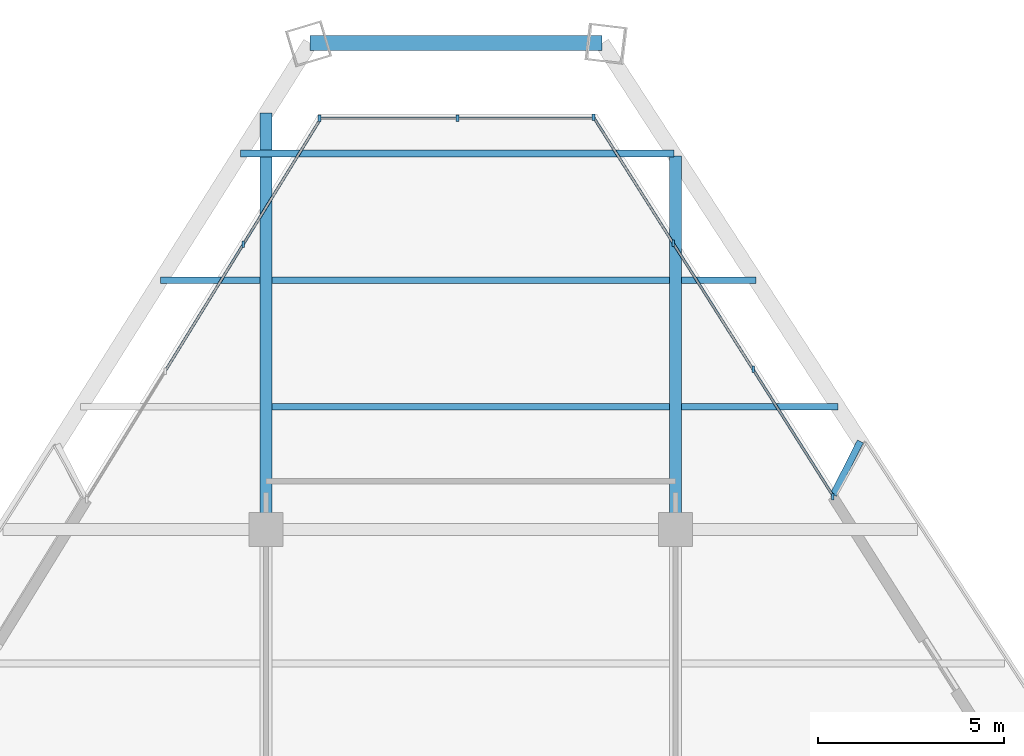
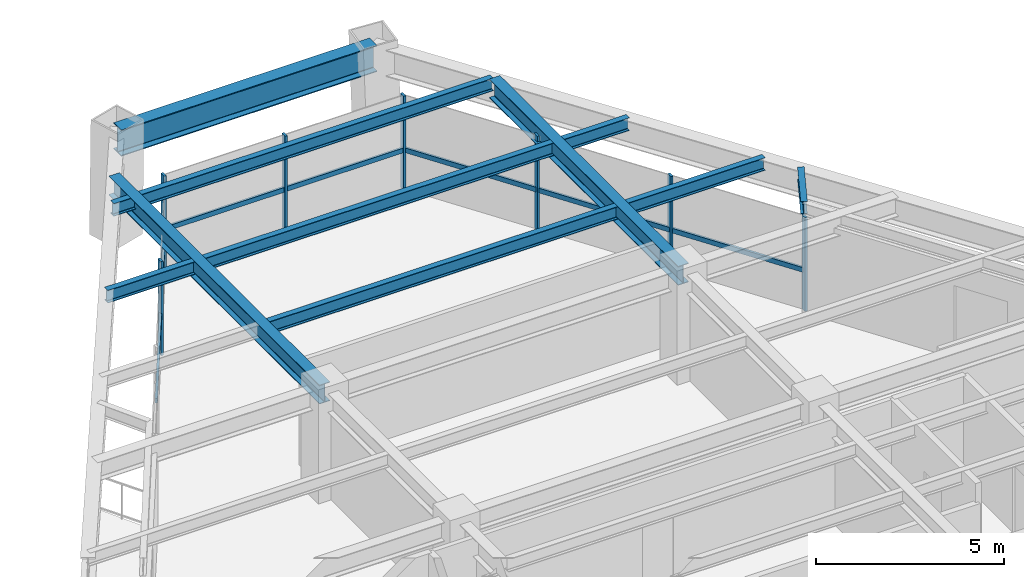
# One storey, part 9 of 15: 14 members, 10 beams, 3 elements without a shape of their own.
"""IFC4 building model written with IfcOpenShell, lengths in metres."""

from ifc_helpers import new_model, si_unit, direction, frame, origin, origin_2d, place, context, subcontext, project, spatial, rectangle, i_section, extrude, source, transform, mapped, material, material_profile, profile_set, type_object, element, aggregate, save


model = new_model("IFC4")

# Units and contexts
model_context = context("Model", 3, precision=1e-05, world=origin(), true_north=direction((0.0, 1.0)))
body_context = subcontext(model_context, "Body", "Model", "MODEL_VIEW")
ifc_project = project(units=[si_unit("LENGTHUNIT", "METRE"), si_unit("AREAUNIT", "SQUARE_METRE"), si_unit("VOLUMEUNIT", "CUBIC_METRE"), si_unit("PLANEANGLEUNIT", "RADIAN"), si_unit("MASSUNIT", "GRAM", prefix="KILO")], contexts=[model_context])

# Site, building, storey
site_placement = place(None, origin())
site = spatial("IfcSite", under=ifc_project, at=site_placement, CompositionType="ELEMENT")
building_placement = place(site_placement, origin())
building = spatial("IfcBuilding", under=site, at=building_placement, Name="Varnakhor Terracotta Tower", CompositionType="ELEMENT")
storey_placement = place(building_placement, frame((0.0, 0.0, 193.199951171875)))
storey = spatial("IfcBuildingStorey", under=building, at=storey_placement, Name="L49", CompositionType="ELEMENT", Elevation=193.199951171875)

# Beams
ifc_material_1 = material(Name="Steel S355", Category="steel")
ifc_material_profile_1 = material_profile(ifc_material_1, i_section(OverallWidth=0.179931640625, OverallDepth=0.4130859375, WebThickness=0.009765625, FlangeThickness=0.01611328125, FilletRadius=0.01806640625, at=origin_2d()), Name="W16X50")
ifc_profile_set_1 = profile_set([ifc_material_profile_1], Name="Steel S355")
beam_type_1 = type_object("IfcBeamType", Name="JST-W16X50", PredefinedType="JOIST", material=ifc_profile_set_1)
shared_shape_1 = source(origin(), body_context, "Body", "SweptSolid", [
    extrude(i_section(OverallWidth=0.179931640625, OverallDepth=0.4130859375, WebThickness=0.009765625, FlangeThickness=0.01611328125, FilletRadius=0.01806640625, at=origin_2d()), origin(), (0.0, 0.0, 1.0), 10.68310546875),
])
for number, where, z_axis, x_axis, name in (
    (1, (-5.341552734375, 34.800048828125, 3.263427734375), (1.0, 0.0, 0.0), (0.0, 1.0, 0.0), "L49 Composite Floor Joist 7-2"),
    (2, (-5.341552734375, 38.199951171875, 3.263427734375), (1.0, 0.0, 0.0), (0.0, 1.0, 0.0), "L49 Composite Floor Joist 8-2"),
):
    element("IfcBeam", number, at=place(storey_placement, frame(where, z_axis=z_axis, x_axis=x_axis)), inside=storey, type_object=beam_type_1, Name=name, PredefinedType="JOIST", context=body_context, shape_type="MappedRepresentation", body=[
        mapped(shared_shape_1, transform((0.0, 0.0, 0.0), scale=1.0)),
    ])
ifc_material_profile_2 = material_profile(ifc_material_1, i_section(OverallWidth=0.39990234375, OverallDepth=0.85498046875, WebThickness=0.01806640625, FlangeThickness=0.029052734375, FilletRadius=0.01806640625, at=origin_2d()), Name="W33X201")
ifc_profile_set_2 = profile_set([ifc_material_profile_2], Name="Steel S355")
beam_type_2 = type_object("IfcBeamType", Name="BM-W33X201", PredefinedType="BEAM", material=ifc_profile_set_2)
shared_shape_2 = source(origin(), body_context, "Body", "SweptSolid", [
    extrude(i_section(OverallWidth=0.39990234375, OverallDepth=0.85498046875, WebThickness=0.01806640625, FlangeThickness=0.029052734375, FilletRadius=0.01806640625, at=origin_2d()), origin(), (0.0, 0.0, 1.0), 7.845703125),
])
beam_1_placement = place(storey_placement, frame((3.531005859375, 44.565673828125, 3.04248046875), z_axis=(-1.0, 0.0, 0.0), x_axis=(0.0, -1.0, 0.0)))
element("IfcBeam", 3, at=beam_1_placement, inside=storey, type_object=beam_type_2, Name="L49 Perimeter Spandrel 5", PredefinedType="BEAM", context=body_context, shape_type="MappedRepresentation", body=[
    mapped(shared_shape_2, transform((0.0, 0.0, 0.0), scale=1.0)),
])
ifc_material_profile_3 = material_profile(ifc_material_1, i_section(OverallWidth=0.324951171875, OverallDepth=0.615966796875, WebThickness=0.013916015625, FlangeThickness=0.02197265625, FilletRadius=0.01806640625, at=origin_2d()), Name="W24X117")
ifc_profile_set_3 = profile_set([ifc_material_profile_3], Name="Steel S355")
beam_type_3 = type_object("IfcBeamType", Name="BM-W24X117", PredefinedType="BEAM", material=ifc_profile_set_3)
shared_shape_3 = source(origin(), body_context, "Body", "SweptSolid", [
    extrude(i_section(OverallWidth=0.324951171875, OverallDepth=0.615966796875, WebThickness=0.013916015625, FlangeThickness=0.02197265625, FilletRadius=0.01806640625, at=origin_2d()), origin(), (0.0, 0.0, 1.0), 11.1875),
])
beam_2_placement = place(storey_placement, frame((-5.5, 31.5, 3.162109375), z_axis=(0.0, 1.0, 0.0), x_axis=(-1.0, 0.0, 0.0)))
element("IfcBeam", 4, at=beam_2_placement, inside=storey, type_object=beam_type_3, Name="L49 Primary Girder NS3-W", PredefinedType="BEAM", context=body_context, shape_type="MappedRepresentation", body=[
    mapped(shared_shape_3, transform((0.0, 0.0, 0.0), scale=1.0)),
])
shared_shape_4 = source(origin(), body_context, "Body", "SweptSolid", [
    extrude(i_section(OverallWidth=0.324951171875, OverallDepth=0.615966796875, WebThickness=0.013916015625, FlangeThickness=0.02197265625, FilletRadius=0.01806640625, at=origin_2d()), origin(), (0.0, 0.0, 1.0), 10.02978515625),
])
beam_3_placement = place(storey_placement, frame((5.5, 31.5, 3.162109375), z_axis=(0.0, 1.0, 0.0), x_axis=(-1.0, 0.0, 0.0)))
element("IfcBeam", 5, at=beam_3_placement, inside=storey, type_object=beam_type_3, Name="L49 Primary Girder NS3-E", PredefinedType="BEAM", context=body_context, shape_type="MappedRepresentation", body=[
    mapped(shared_shape_4, transform((0.0, 0.0, 0.0), scale=1.0)),
])
shared_shape_5 = source(origin(), body_context, "Body", "SweptSolid", [
    extrude(i_section(OverallWidth=0.179931640625, OverallDepth=0.4130859375, WebThickness=0.009765625, FlangeThickness=0.01611328125, FilletRadius=0.01806640625, at=origin_2d()), origin(), (0.0, 0.0, 1.0), 4.20654296875),
])
beam_4_placement = place(storey_placement, frame((5.658447265625, 34.800048828125, 3.263427734375), z_axis=(1.0, 0.0, 0.0), x_axis=(0.0, 1.0, 0.0)))
element("IfcBeam", 6, at=beam_4_placement, inside=storey, type_object=beam_type_1, Name="L49 Composite Floor Joist 7-3", PredefinedType="JOIST", context=body_context, shape_type="MappedRepresentation", body=[
    mapped(shared_shape_5, transform((0.0, 0.0, 0.0), scale=1.0)),
])
shared_shape_6 = source(origin(), body_context, "Body", "SweptSolid", [
    extrude(i_section(OverallWidth=0.179931640625, OverallDepth=0.4130859375, WebThickness=0.009765625, FlangeThickness=0.01611328125, FilletRadius=0.01806640625, at=origin_2d()), origin(), (0.0, 0.0, 1.0), 2.673095703125),
])
beam_5_placement = place(storey_placement, frame((-8.33154296875, 38.199951171875, 3.263427734375), z_axis=(1.0, 0.0, 0.0), x_axis=(0.0, 1.0, 0.0)))
element("IfcBeam", 7, at=beam_5_placement, inside=storey, type_object=beam_type_1, Name="L49 Composite Floor Joist 8-1", PredefinedType="JOIST", context=body_context, shape_type="MappedRepresentation", body=[
    mapped(shared_shape_6, transform((0.0, 0.0, 0.0), scale=1.0)),
])
shared_shape_7 = source(origin(), body_context, "Body", "SweptSolid", [
    extrude(i_section(OverallWidth=0.179931640625, OverallDepth=0.4130859375, WebThickness=0.009765625, FlangeThickness=0.01611328125, FilletRadius=0.01806640625, at=origin_2d()), origin(), (0.0, 0.0, 1.0), 2.00146484375),
])
beam_6_placement = place(storey_placement, frame((5.658447265625, 38.199951171875, 3.263427734375), z_axis=(1.0, 0.0, 0.0), x_axis=(0.0, 1.0, 0.0)))
element("IfcBeam", 8, at=beam_6_placement, inside=storey, type_object=beam_type_1, Name="L49 Composite Floor Joist 8-3", PredefinedType="JOIST", context=body_context, shape_type="MappedRepresentation", body=[
    mapped(shared_shape_7, transform((0.0, 0.0, 0.0), scale=1.0)),
])
shared_shape_8 = source(origin(), body_context, "Body", "SweptSolid", [
    extrude(i_section(OverallWidth=0.179931640625, OverallDepth=0.4130859375, WebThickness=0.009765625, FlangeThickness=0.01611328125, FilletRadius=0.01806640625, at=origin_2d()), origin(), (0.0, 0.0, 1.0), 11.640869140625),
])
beam_7_placement = place(storey_placement, frame((-6.186279296875, 41.60009765625, 3.263427734375), z_axis=(1.0, 0.0, 0.0), x_axis=(0.0, 1.0, 0.0)))
element("IfcBeam", 9, at=beam_7_placement, inside=storey, type_object=beam_type_1, Name="L49 Composite Floor Joist 9-1", PredefinedType="JOIST", context=body_context, shape_type="MappedRepresentation", body=[
    mapped(shared_shape_8, transform((0.0, 0.0, 0.0), scale=1.0)),
])
ifc_material_profile_4 = material_profile(ifc_material_1, i_section(OverallWidth=0.179931640625, OverallDepth=0.39990234375, WebThickness=0.008544921875, FlangeThickness=0.013427734375, FilletRadius=0.01806640625, at=origin_2d()), Name="IPE400")
ifc_profile_set_4 = profile_set([ifc_material_profile_4], Name="Steel S355")
beam_type_4 = type_object("IfcBeamType", Name="JST-IPE400", PredefinedType="JOIST", material=ifc_profile_set_4)
shared_shape_9 = source(origin(), body_context, "Body", "SweptSolid", [
    extrude(i_section(OverallWidth=0.179931640625, OverallDepth=0.39990234375, WebThickness=0.008544921875, FlangeThickness=0.013427734375, FilletRadius=0.01806640625, at=origin_2d()), origin(), (0.0, 0.0, 1.0), 1.611328125),
])
beam_8_placement = place(storey_placement, frame((9.738525390625, 32.4326171875, 3.27001953125), z_axis=(0.453324211784, 0.891345701179, 0.0), x_axis=(-0.891345701179, 0.453324211784, 0.0)))
element("IfcBeam", 10, at=beam_8_placement, inside=storey, type_object=beam_type_4, Name="L50 E Loggia Tie Beam 1", PredefinedType="JOIST", context=body_context, shape_type="MappedRepresentation", body=[
    mapped(shared_shape_9, transform((0.0, 0.0, 0.0), scale=1.0)),
])

# Curtain wall, member
ifc_material_2 = material(Name="Anodised Aluminium Curtain Wall System", Category="aluminium")
curtain_wall_type = type_object("IfcCurtainWallType", Name="CW-SYS-MID-OFFICE", PredefinedType="NOTDEFINED", material=ifc_material_2)
curtain_wall_1_placement = place(storey_placement, origin())
curtain_wall_1 = element("IfcCurtainWall", 11, at=curtain_wall_1_placement, inside=storey, type_object=curtain_wall_type, Name="L49 W Facet Curtain Wall 2", PredefinedType="NOTDEFINED")
ifc_material_3 = material(Name="Anodised Aluminium 6063-T6", Category="aluminium")
ifc_material_profile_5 = material_profile(ifc_material_3, rectangle(XDim=0.070068359375, YDim=0.175048828125, at=origin_2d()), Name="ALU MULLION 70x175")
ifc_profile_set_5 = profile_set([ifc_material_profile_5], Name="Anodised Aluminium 6063-T6")
member_type_1 = type_object("IfcMemberType", Name="CWM-03", PredefinedType="MULLION", material=ifc_profile_set_5)
shared_shape_10 = source(origin(), body_context, "Body", "SweptSolid", [
    extrude(rectangle(XDim=0.070068359375, YDim=0.175048828125, at=origin_2d()), origin(), (0.0, 0.0, 1.0), 3.050048828125),
])
member_1_placement = place(storey_placement, frame((-6.10888671875, 39.164306640625, 0.0), z_axis=(0.0, 0.0, 1.0), x_axis=(1.0, 0.0, 0.0)))
member_1 = element("IfcMember", 12, at=member_1_placement, type_object=member_type_1, Name="L49 W Facet Curtain Wall 2 Mullion 3", PredefinedType="MULLION", context=body_context, shape_type="MappedRepresentation", body=[
    mapped(shared_shape_10, transform((0.0, 0.0, 0.0), scale=1.0)),
])

# Curtain wall, members
curtain_wall_2_placement = place(storey_placement, origin())
curtain_wall_2 = element("IfcCurtainWall", 13, at=curtain_wall_2_placement, inside=storey, type_object=curtain_wall_type, Name="L49 Facet Curtain Wall 2", PredefinedType="NOTDEFINED")
member_2_placement = place(storey_placement, frame((-4.063232421875, 42.54541015625, 0.0), z_axis=(0.0, 0.0, 1.0), x_axis=(1.0, 0.0, 0.0)))
member_2 = element("IfcMember", 14, at=member_2_placement, type_object=member_type_1, Name="L49 Facet Curtain Wall 2 Mullion 1", PredefinedType="MULLION", context=body_context, shape_type="MappedRepresentation", body=[
    mapped(shared_shape_10, transform((0.0, 0.0, 0.0), scale=1.0)),
])
member_3_placement = place(storey_placement, frame((-0.354248046875, 42.54541015625, 0.0), z_axis=(0.0, 0.0, 1.0), x_axis=(1.0, 0.0, 0.0)))
member_3 = element("IfcMember", 15, at=member_3_placement, type_object=member_type_1, Name="L49 Facet Curtain Wall 2 Mullion 2", PredefinedType="MULLION", context=body_context, shape_type="MappedRepresentation", body=[
    mapped(shared_shape_10, transform((0.0, 0.0, 0.0), scale=1.0)),
])

curtain_wall_3_placement = place(storey_placement, origin())
curtain_wall_3 = element("IfcCurtainWall", 16, at=curtain_wall_3_placement, inside=storey, type_object=curtain_wall_type, Name="L49 E Facet Curtain Wall 1", PredefinedType="NOTDEFINED")
member_4_placement = place(storey_placement, frame((3.29931640625, 42.575927734375, 0.0), z_axis=(0.0, 0.0, 1.0), x_axis=(1.0, 0.0, 0.0)))
member_4 = element("IfcMember", 17, at=member_4_placement, type_object=member_type_1, Name="L49 E Facet Curtain Wall 1 Mullion 1", PredefinedType="MULLION", context=body_context, shape_type="MappedRepresentation", body=[
    mapped(shared_shape_10, transform((0.0, 0.0, 0.0), scale=1.0)),
])
member_5_placement = place(storey_placement, frame((5.44189453125, 39.189208984375, 0.0), z_axis=(0.0, 0.0, 1.0), x_axis=(1.0, 0.0, 0.0)))
member_5 = element("IfcMember", 18, at=member_5_placement, type_object=member_type_1, Name="L49 E Facet Curtain Wall 1 Mullion 2", PredefinedType="MULLION", context=body_context, shape_type="MappedRepresentation", body=[
    mapped(shared_shape_10, transform((0.0, 0.0, 0.0), scale=1.0)),
])
member_6_placement = place(storey_placement, frame((7.584228515625, 35.80224609375, 0.0), z_axis=(0.0, 0.0, 1.0), x_axis=(1.0, 0.0, 0.0)))
member_6 = element("IfcMember", 19, at=member_6_placement, type_object=member_type_1, Name="L49 E Facet Curtain Wall 1 Mullion 3", PredefinedType="MULLION", context=body_context, shape_type="MappedRepresentation", body=[
    mapped(shared_shape_10, transform((0.0, 0.0, 0.0), scale=1.0)),
])
member_7_placement = place(storey_placement, frame((9.7255859375, 32.37939453125, 0.0), z_axis=(0.0, 0.0, 1.0), x_axis=(1.0, 0.0, 0.0)))
member_7 = element("IfcMember", 20, at=member_7_placement, type_object=member_type_1, Name="L49 E Loggia Jamb Closure Mullion 1", PredefinedType="MULLION", context=body_context, shape_type="MappedRepresentation", body=[
    mapped(shared_shape_10, transform((0.0, 0.0, 0.0), scale=1.0)),
])

# Member
ifc_material_profile_6 = material_profile(ifc_material_3, rectangle(XDim=0.070068359375, YDim=0.155029296875, at=origin_2d()), Name="ALU TRANSOM 70x155")
ifc_profile_set_6 = profile_set([ifc_material_profile_6], Name="Anodised Aluminium 6063-T6")
member_type_2 = type_object("IfcMemberType", Name="CWT-03", PredefinedType="USERDEFINED", material=ifc_profile_set_6)
shared_shape_11 = source(origin(), body_context, "Body", "SweptSolid", [
    extrude(rectangle(XDim=0.070068359375, YDim=0.155029296875, at=origin_2d()), origin(), (0.0, 0.0, 1.0), 4.008056640625),
])
member_8_placement = place(storey_placement, frame((-6.10888671875, 39.164306640625, 1.281005859375), z_axis=(0.524457625924, 0.851436549961, 0.0), x_axis=(-0.851436549961, 0.524457625924, 0.0)))
member_8 = element("IfcMember", 21, at=member_8_placement, type_object=member_type_2, Name="L49 W Facet Curtain Wall 2 Transom 3", ObjectType="TRANSOM", PredefinedType="USERDEFINED", context=body_context, shape_type="MappedRepresentation", body=[
    mapped(shared_shape_11, transform((0.0, 0.0, 0.0), scale=1.0)),
])

shared_shape_12 = source(origin(), body_context, "Body", "SweptSolid", [
    extrude(rectangle(XDim=0.070068359375, YDim=0.155029296875, at=origin_2d()), origin(), (0.0, 0.0, 1.0), 4.0078125),
])
member_9_placement = place(storey_placement, frame((-8.210693359375, 35.751708984375, 1.281005859375), z_axis=(0.52441346556, 0.85146374975, 0.0), x_axis=(-0.85146374975, 0.52441346556, 0.0)))
member_9 = element("IfcMember", 22, at=member_9_placement, type_object=member_type_2, Name="L49 W Facet Curtain Wall 2 Transom 2", ObjectType="TRANSOM", PredefinedType="USERDEFINED", context=body_context, shape_type="MappedRepresentation", body=[
    mapped(shared_shape_12, transform((0.0, 0.0, 0.0), scale=1.0)),
])

aggregate(curtain_wall_1, [member_9, member_1, member_8])

shared_shape_13 = source(origin(), body_context, "Body", "SweptSolid", [
    extrude(rectangle(XDim=0.070068359375, YDim=0.155029296875, at=origin_2d()), origin(), (0.0, 0.0, 1.0), 3.708984375),
])
member_10_placement = place(storey_placement, frame((-4.063232421875, 42.54541015625, 1.281005859375), z_axis=(1.0, 0.0, 0.0), x_axis=(0.0, 1.0, 0.0)))
member_10 = element("IfcMember", 23, at=member_10_placement, type_object=member_type_2, Name="L49 Facet Curtain Wall 2 Transom 1", ObjectType="TRANSOM", PredefinedType="USERDEFINED", context=body_context, shape_type="MappedRepresentation", body=[
    mapped(shared_shape_13, transform((0.0, 0.0, 0.0), scale=1.0)),
])

member_11_placement = place(storey_placement, frame((-0.354248046875, 42.54541015625, 1.281005859375), z_axis=(1.0, 0.0, 0.0), x_axis=(0.0, 1.0, 0.0)))
member_11 = element("IfcMember", 24, at=member_11_placement, type_object=member_type_2, Name="L49 Facet Curtain Wall 2 Transom 2", ObjectType="TRANSOM", PredefinedType="USERDEFINED", context=body_context, shape_type="MappedRepresentation", body=[
    mapped(shared_shape_13, transform((0.0, 0.0, 0.0), scale=1.0)),
])

aggregate(curtain_wall_2, [member_2, member_10, member_3, member_11])

shared_shape_14 = source(origin(), body_context, "Body", "SweptSolid", [
    extrude(rectangle(XDim=0.070068359375, YDim=0.155029296875, at=origin_2d()), origin(), (0.0, 0.0, 1.0), 4.007568359375),
])
member_12_placement = place(storey_placement, frame((3.29931640625, 42.575927734375, 1.281005859375), z_axis=(0.534634609471, -0.845083329829, 0.0), x_axis=(0.845083329829, 0.534634609471, 0.0)))
member_12 = element("IfcMember", 25, at=member_12_placement, type_object=member_type_2, Name="L49 E Facet Curtain Wall 1 Transom 1", ObjectType="TRANSOM", PredefinedType="USERDEFINED", context=body_context, shape_type="MappedRepresentation", body=[
    mapped(shared_shape_14, transform((0.0, 0.0, 0.0), scale=1.0)),
])

member_13_placement = place(storey_placement, frame((5.44189453125, 39.189208984375, 1.281005859375), z_axis=(0.534563577538, -0.845128263383, 0.0), x_axis=(0.845128263383, 0.534563577538, 0.0)))
member_13 = element("IfcMember", 26, at=member_13_placement, type_object=member_type_2, Name="L49 E Facet Curtain Wall 1 Transom 2", ObjectType="TRANSOM", PredefinedType="USERDEFINED", context=body_context, shape_type="MappedRepresentation", body=[
    mapped(shared_shape_14, transform((0.0, 0.0, 0.0), scale=1.0)),
])

member_14_placement = place(storey_placement, frame((7.584228515625, 35.80224609375, 1.281005859375), z_axis=(0.534563577538, -0.845128263383, 0.0), x_axis=(0.845128263383, 0.534563577538, 0.0)))
member_14 = element("IfcMember", 27, at=member_14_placement, type_object=member_type_2, Name="L49 E Facet Curtain Wall 1 Transom 3", ObjectType="TRANSOM", PredefinedType="USERDEFINED", context=body_context, shape_type="MappedRepresentation", body=[
    mapped(shared_shape_14, transform((0.0, 0.0, 0.0), scale=1.0)),
])

aggregate(curtain_wall_3, [member_4, member_12, member_5, member_13, member_6, member_14, member_7])

save(model, "model.ifc")
